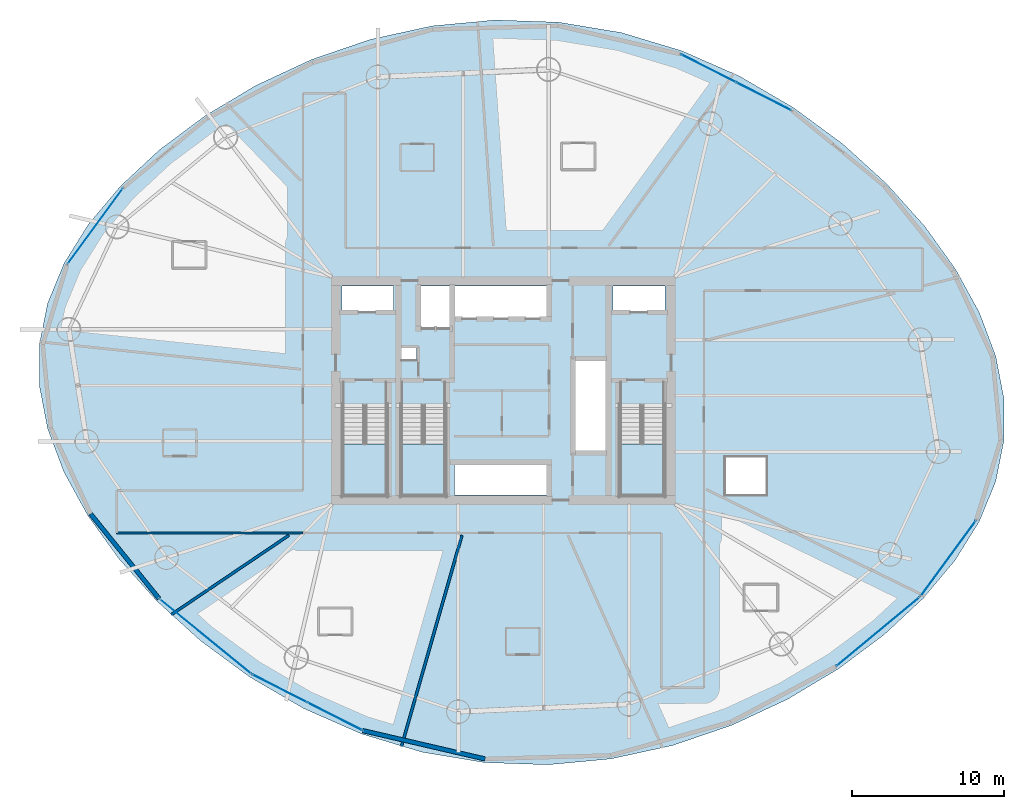
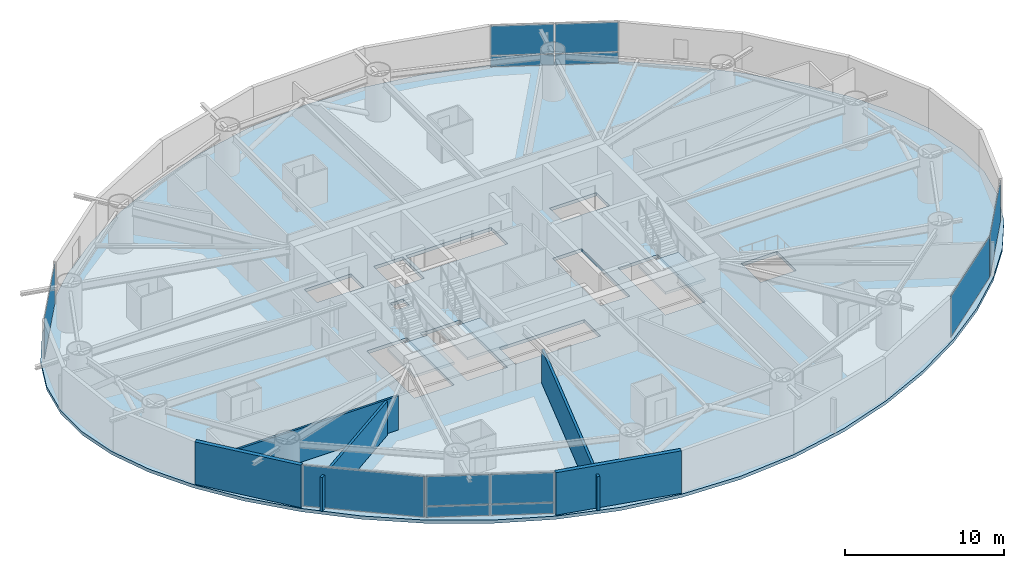
# One storey, part 13 of 20: 12 plates, 5 walls, 4 slabs, 9 elements without a shape of their own.
"""IFC4 building model written with IfcOpenShell, lengths in metres."""

from ifc_helpers import new_model, si_unit, direction, frame, frame_2d, origin, origin_2d, place, context, subcontext, project, spatial, polyline, rectangle, outline, extrude, material, layer, layer_set, type_object, element, aggregate, save


model = new_model("IFC4")

# Units and contexts
model_context = context("Model", 3, precision=1e-05, world=origin(), true_north=direction((0.0, 1.0)))
body_context = subcontext(model_context, "Body", "Model", "MODEL_VIEW")
ifc_project = project(units=[si_unit("LENGTHUNIT", "METRE"), si_unit("AREAUNIT", "SQUARE_METRE"), si_unit("VOLUMEUNIT", "CUBIC_METRE"), si_unit("PLANEANGLEUNIT", "RADIAN"), si_unit("MASSUNIT", "GRAM", prefix="KILO")], contexts=[model_context])

# Site, building, storey
site_placement = place(None, origin())
site = spatial("IfcSite", under=ifc_project, at=site_placement, CompositionType="ELEMENT")
building_placement = place(site_placement, origin())
building = spatial("IfcBuilding", under=site, at=building_placement, Name="Bramvorn Convention Spire", CompositionType="ELEMENT")
storey_placement = place(building_placement, frame((0.0, 0.0, 58.89990234375)))
storey = spatial("IfcBuildingStorey", under=building, at=storey_placement, Name="L12", CompositionType="ELEMENT", Elevation=58.89990234375)

# Curtain wall, plates
ifc_material_1 = material(Name="Anodised Bronze Unitised Curtain Wall", Category="aluminium")
ifc_layer_1 = layer(ifc_material_1, 0.179931640625)
ifc_layer_set_1 = layer_set([ifc_layer_1], Name="Anodised Bronze Unitised Curtain Wall - CW-HTL-FRIT")
curtain_wall_type = type_object("IfcCurtainWallType", Name="CW-HTL-FRIT", PredefinedType="USERDEFINED", material=ifc_layer_set_1)
curtain_wall_1_placement = place(storey_placement, origin())
curtain_wall_1 = element("IfcCurtainWall", 1, at=curtain_wall_1_placement, inside=storey, type_object=curtain_wall_type, Name="L12 fritted glass curtain wall 05", ObjectType="UNITISED CURTAIN WALL", PredefinedType="USERDEFINED")
ifc_material_2 = material(Name="Laminated Low-E Glass (Triple IGU Bronze Ceramic Frit 35%)", Category="glass")
ifc_layer_2 = layer(ifc_material_2, 0.035888671875)
ifc_layer_set_2 = layer_set([ifc_layer_2], Name="Laminated Low-E Glass (Triple IGU Bronze Ceramic Frit 35%) - PNL-IGU-1")
plate_type = type_object("IfcPlateType", Name="PNL-IGU-1", PredefinedType="CURTAIN_PANEL", material=ifc_layer_set_2)
plate_1_placement = place(storey_placement, frame((51.45751953125, 47.13818359375, 0.06005859375), z_axis=(0.0, 0.0, 1.0), x_axis=(0.891592123506, -0.452839359268, 0.0)))
plate_1 = element("IfcPlate", 2, at=plate_1_placement, type_object=plate_type, Name="CW2 panel 1.1", PredefinedType="CURTAIN_PANEL", context=body_context, shape_type="SweptSolid", body=[
    extrude(rectangle(XDim=3.995361328125, YDim=0.028076171875, at=origin_2d()), origin(), (0.0, 0.0, 1.0), 0.81005859375),
])
plate_2_placement = place(storey_placement, frame((51.45751953125, 47.13818359375, 0.93017578125), z_axis=(0.0, 0.0, 1.0), x_axis=(0.891592123506, -0.452839359268, 0.0)))
plate_2 = element("IfcPlate", 3, at=plate_2_placement, type_object=plate_type, Name="CW2 panel 1.2", PredefinedType="CURTAIN_PANEL", context=body_context, shape_type="SweptSolid", body=[
    extrude(rectangle(XDim=3.995361328125, YDim=0.028076171875, at=origin_2d()), origin(), (0.0, 0.0, 1.0), 2.260009765625),
])
plate_3_placement = place(storey_placement, frame((55.0732421875, 45.301513671875, 0.06005859375), z_axis=(0.0, 0.0, 1.0), x_axis=(0.891592123506, -0.452839359268, 0.0)))
plate_3 = element("IfcPlate", 4, at=plate_3_placement, type_object=plate_type, Name="CW2 panel 2.1", PredefinedType="CURTAIN_PANEL", context=body_context, shape_type="SweptSolid", body=[
    extrude(rectangle(XDim=3.995361328125, YDim=0.028076171875, at=origin_2d()), origin(), (0.0, 0.0, 1.0), 0.81005859375),
])
plate_4_placement = place(storey_placement, frame((55.0732421875, 45.301513671875, 0.93017578125), z_axis=(0.0, 0.0, 1.0), x_axis=(0.891592123506, -0.452839359268, 0.0)))
plate_4 = element("IfcPlate", 5, at=plate_4_placement, type_object=plate_type, Name="CW2 panel 2.2", PredefinedType="CURTAIN_PANEL", context=body_context, shape_type="SweptSolid", body=[
    extrude(rectangle(XDim=3.995361328125, YDim=0.028076171875, at=origin_2d()), origin(), (0.0, 0.0, 1.0), 2.260009765625),
])
aggregate(curtain_wall_1, [plate_1, plate_2, plate_3, plate_4])

# Curtain wall, plate
curtain_wall_2_placement = place(storey_placement, origin())
curtain_wall_2 = element("IfcCurtainWall", 6, at=curtain_wall_2_placement, inside=storey, type_object=curtain_wall_type, Name="L12 fritted glass curtain wall 11", ObjectType="UNITISED CURTAIN WALL", PredefinedType="USERDEFINED")
plate_5_placement = place(storey_placement, frame((11.211669921875, 36.78076171875, 0.06005859375), z_axis=(0.0, 0.0, 1.0), x_axis=(0.590902964569, 0.806742639547, 0.0)))
plate_5 = element("IfcPlate", 7, at=plate_5_placement, type_object=plate_type, Name="CW2 panel 1.1", PredefinedType="CURTAIN_PANEL", context=body_context, shape_type="SweptSolid", body=[
    extrude(rectangle(XDim=6.092041015625, YDim=0.028076171875, at=origin_2d()), origin(), (0.0, 0.0, 1.0), 3.1298828125),
])
aggregate(curtain_wall_2, [plate_5])

curtain_wall_3_placement = place(storey_placement, origin())
curtain_wall_3 = element("IfcCurtainWall", 8, at=curtain_wall_3_placement, inside=storey, type_object=curtain_wall_type, Name="L12 fritted glass curtain wall 16", ObjectType="UNITISED CURTAIN WALL", PredefinedType="USERDEFINED")
plate_6_placement = place(storey_placement, frame((18.441162109375, 9.871826171875, 0.06005859375), z_axis=(0.0, 0.0, 1.0), x_axis=(-0.774751800926, 0.63226548772, 0.0)))
plate_6 = element("IfcPlate", 9, at=plate_6_placement, type_object=plate_type, Name="CW2 panel 1.1", PredefinedType="CURTAIN_PANEL", context=body_context, shape_type="SweptSolid", body=[
    extrude(rectangle(XDim=7.724853515625, YDim=0.028076171875, at=origin_2d()), origin(), (0.0, 0.0, 1.0), 3.1298828125),
])
aggregate(curtain_wall_3, [plate_6])

# Curtain wall, plates
curtain_wall_4_placement = place(storey_placement, origin())
curtain_wall_4 = element("IfcCurtainWall", 10, at=curtain_wall_4_placement, inside=storey, type_object=curtain_wall_type, Name="L12 fritted glass curtain wall 17", ObjectType="UNITISED CURTAIN WALL", PredefinedType="USERDEFINED")
plate_7_placement = place(storey_placement, frame((26.9306640625, 4.62353515625, 0.06005859375), z_axis=(0.0, 0.0, 1.0), x_axis=(-0.891594555151, 0.452834571588, 0.0)))
plate_7 = element("IfcPlate", 11, at=plate_7_placement, type_object=plate_type, Name="CW2 panel 1.1", PredefinedType="CURTAIN_PANEL", context=body_context, shape_type="SweptSolid", body=[
    extrude(rectangle(XDim=3.995361328125, YDim=0.028076171875, at=origin_2d()), origin(), (0.0, 0.0, 1.0), 0.81005859375),
])
plate_8_placement = place(storey_placement, frame((26.9306640625, 4.62353515625, 0.93017578125), z_axis=(0.0, 0.0, 1.0), x_axis=(-0.891594555151, 0.452834571588, 0.0)))
plate_8 = element("IfcPlate", 12, at=plate_8_placement, type_object=plate_type, Name="CW2 panel 1.2", PredefinedType="CURTAIN_PANEL", context=body_context, shape_type="SweptSolid", body=[
    extrude(rectangle(XDim=3.995361328125, YDim=0.028076171875, at=origin_2d()), origin(), (0.0, 0.0, 1.0), 2.260009765625),
])
plate_9_placement = place(storey_placement, frame((23.31494140625, 6.4599609375, 0.06005859375), z_axis=(0.0, 0.0, 1.0), x_axis=(-0.891594555151, 0.452834571588, 0.0)))
plate_9 = element("IfcPlate", 13, at=plate_9_placement, type_object=plate_type, Name="CW2 panel 2.1", PredefinedType="CURTAIN_PANEL", context=body_context, shape_type="SweptSolid", body=[
    extrude(rectangle(XDim=3.995361328125, YDim=0.028076171875, at=origin_2d()), origin(), (0.0, 0.0, 1.0), 0.81005859375),
])
plate_10_placement = place(storey_placement, frame((23.31494140625, 6.4599609375, 0.93017578125), z_axis=(0.0, 0.0, 1.0), x_axis=(-0.891594555151, 0.452834571588, 0.0)))
plate_10 = element("IfcPlate", 14, at=plate_10_placement, type_object=plate_type, Name="CW2 panel 2.2", PredefinedType="CURTAIN_PANEL", context=body_context, shape_type="SweptSolid", body=[
    extrude(rectangle(XDim=3.995361328125, YDim=0.028076171875, at=origin_2d()), origin(), (0.0, 0.0, 1.0), 2.260009765625),
])
aggregate(curtain_wall_4, [plate_7, plate_8, plate_9, plate_10])

# Curtain wall, plate
curtain_wall_5_placement = place(storey_placement, origin())
curtain_wall_5 = element("IfcCurtainWall", 15, at=curtain_wall_5_placement, inside=storey, type_object=curtain_wall_type, Name="L12 fritted glass curtain wall 22", ObjectType="UNITISED CURTAIN WALL", PredefinedType="USERDEFINED")
plate_11_placement = place(storey_placement, frame((62.591552734375, 10.19580078125, 0.06005859375), z_axis=(0.0, 0.0, 1.0), x_axis=(-0.769819701022, -0.638261410331, 0.0)))
plate_11 = element("IfcPlate", 16, at=plate_11_placement, type_object=plate_type, Name="CW2 panel 1.1", PredefinedType="CURTAIN_PANEL", context=body_context, shape_type="SweptSolid", body=[
    extrude(rectangle(XDim=7.02294921875, YDim=0.028076171875, at=origin_2d()), origin(), (0.0, 0.0, 1.0), 3.1298828125),
])
aggregate(curtain_wall_5, [plate_11])

curtain_wall_6_placement = place(storey_placement, origin())
curtain_wall_6 = element("IfcCurtainWall", 17, at=curtain_wall_6_placement, inside=storey, type_object=curtain_wall_type, Name="L12 fritted glass curtain wall 23", ObjectType="UNITISED CURTAIN WALL", PredefinedType="USERDEFINED")
plate_12_placement = place(storey_placement, frame((67.17626953125, 14.98095703125, 0.06005859375), z_axis=(0.0, 0.0, 1.0), x_axis=(-0.5908952907, -0.806748260257, 0.0)))
plate_12 = element("IfcPlate", 18, at=plate_12_placement, type_object=plate_type, Name="CW2 panel 1.1", PredefinedType="CURTAIN_PANEL", context=body_context, shape_type="SweptSolid", body=[
    extrude(rectangle(XDim=6.092041015625, YDim=0.028076171875, at=origin_2d()), origin(), (0.0, 0.0, 1.0), 3.1298828125),
])
aggregate(curtain_wall_6, [plate_12])

# Stair, slab
ifc_material_3 = material(Name="Concrete C40/50 Precast Stair", Category="concrete")
stair_type = type_object("IfcStairType", Name="ST-TOWER-1550", PredefinedType="HALF_TURN_STAIR", material=ifc_material_3)
stair_1_placement = place(storey_placement, origin())
stair_1 = element("IfcStair", 19, at=stair_1_placement, inside=storey, type_object=stair_type, Name="L12 Protected Exit Stair ST1", PredefinedType="HALF_TURN_STAIR")
ifc_material_4 = material(Name="Concrete C40/50 Stair Landing", Category="concrete")
ifc_layer_3 = layer(ifc_material_4, 0.219970703125)
ifc_layer_set_3 = layer_set([ifc_layer_3], Name="Concrete C40/50 Stair Landing - SLB-STAIR-LANDING")
slab_type_1 = type_object("IfcSlabType", Name="SLB-STAIR-LANDING", PredefinedType="LANDING", material=ifc_layer_set_3)
slab_1_placement = place(storey_placement, frame((0.0, 0.0, 1.550048828125)))
slab_1 = element("IfcSlab", 20, at=slab_1_placement, type_object=slab_type_1, Name="ST1 landing 1", PredefinedType="LANDING", context=body_context, shape_type="SweptSolid", body=[
    extrude(outline(polyline([(27.449951171875, 22.485107421875), (27.449951171875, 19.10009765625), (30.35009765625, 19.10009765625), (30.35009765625, 22.485107421875), (27.449951171875, 22.485107421875)])), origin(), (0.0, 0.0, 1.0), 0.199951171875),
])
aggregate(stair_1, [slab_1])

stair_2_placement = place(storey_placement, origin())
stair_2 = element("IfcStair", 21, at=stair_2_placement, inside=storey, type_object=stair_type, Name="L12 Protected Exit Stair ST2", PredefinedType="HALF_TURN_STAIR")
slab_2_placement = place(storey_placement, frame((0.0, 0.0, 1.550048828125)))
slab_2 = element("IfcSlab", 22, at=slab_2_placement, type_object=slab_type_1, Name="ST2 landing 1", PredefinedType="LANDING", context=body_context, shape_type="SweptSolid", body=[
    extrude(outline(polyline([(45.64990234375, 22.485107421875), (45.64990234375, 19.10009765625), (48.550048828125, 19.10009765625), (48.550048828125, 22.485107421875), (45.64990234375, 22.485107421875)])), origin(), (0.0, 0.0, 1.0), 0.199951171875),
])
aggregate(stair_2, [slab_2])

stair_3_placement = place(storey_placement, origin())
stair_3 = element("IfcStair", 23, at=stair_3_placement, inside=storey, type_object=stair_type, Name="L12 Protected Exit Stair ST3", PredefinedType="HALF_TURN_STAIR")
slab_3_placement = place(storey_placement, frame((0.0, 0.0, 1.550048828125)))
slab_3 = element("IfcSlab", 24, at=slab_3_placement, type_object=slab_type_1, Name="ST3 landing 1", PredefinedType="LANDING", context=body_context, shape_type="SweptSolid", body=[
    extrude(outline(polyline([(31.300048828125, 22.485107421875), (31.300048828125, 19.10009765625), (34.199951171875, 19.10009765625), (34.199951171875, 22.485107421875), (31.300048828125, 22.485107421875)])), origin(), (0.0, 0.0, 1.0), 0.199951171875),
])
aggregate(stair_3, [slab_3])

# Slab
ifc_material_5 = material(Name="Concrete C50/60", Category="concrete")
ifc_layer_4 = layer(ifc_material_5, 0.25)
ifc_layer_set_4 = layer_set([ifc_layer_4], Name="Concrete C50/60 - SLB-Z1-250")
slab_type_2 = type_object("IfcSlabType", Name="SLB-Z1-250", PredefinedType="FLOOR", material=ifc_layer_set_4)
slab_4_placement = place(storey_placement, frame((0.0, 0.0, -0.25)))
element("IfcSlab", 25, at=slab_4_placement, inside=storey, type_object=slab_type_2, Name="L12 tower floor slab", PredefinedType="FLOOR", context=body_context, shape_type="SweptSolid", body=[
    extrude(outline(polyline([(70.8369140625, 22.722412109375), (70.83642578125, 25.4580078125), (70.29931640625, 28.247314453125), (69.238525390625, 31.081787109375), (67.6748046875, 33.93994140625), (65.635986328125, 36.781494140625), (63.156005859375, 39.549072265625), (60.274658203125, 42.168701171875), (57.037109375, 44.555908203125), (53.494384765625, 46.623779296875), (49.7021484375, 48.290283203125), (45.7216796875, 49.4873046875), (41.618408203125, 50.168212890625), (37.461181640625, 50.311767578125), (33.32275390625, 49.92529296875), (29.27587890625, 49.041259765625), (25.394287109375, 47.71435546875), (21.748779296875, 46.01416015625), (18.406494140625, 44.015625), (15.42822265625, 41.79296875), (12.867919921875, 39.410400390625), (10.7705078125, 36.917724609375), (9.170166015625, 34.3486328125), (8.09228515625, 31.720703125), (7.55126953125, 29.039306640625), (7.5517578125, 26.3037109375), (8.0888671875, 23.514404296875), (9.149658203125, 20.6796875), (10.713134765625, 17.82177734375), (12.751953125, 14.97998046875), (15.232177734375, 12.21240234375), (18.113525390625, 9.593017578125), (21.35107421875, 7.20556640625), (24.893798828125, 5.1376953125), (28.68603515625, 3.47119140625), (32.66650390625, 2.2744140625), (36.77001953125, 1.593505859375), (40.927001953125, 1.44970703125), (45.0654296875, 1.83642578125), (49.1123046875, 2.720458984375), (52.993896484375, 4.047119140625), (56.639404296875, 5.74755859375), (59.981689453125, 7.745849609375), (62.959716796875, 9.968505859375), (65.52001953125, 12.351318359375), (67.617919921875, 14.84375), (69.218017578125, 17.412841796875), (70.2958984375, 20.041015625), (70.8369140625, 22.722412109375)]), holes=[polyline([(27.449951171875, 25.050048828125), (27.449951171875, 19.10009765625), (30.35009765625, 19.10009765625), (30.35009765625, 25.050048828125), (27.449951171875, 25.050048828125)]), polyline([(45.64990234375, 25.050048828125), (45.64990234375, 19.10009765625), (48.550048828125, 19.10009765625), (48.550048828125, 25.050048828125), (45.64990234375, 25.050048828125)]), polyline([(31.300048828125, 25.050048828125), (31.300048828125, 19.10009765625), (34.199951171875, 19.10009765625), (34.199951171875, 25.050048828125), (31.300048828125, 25.050048828125)]), polyline([(27.39990234375, 31.219970703125), (30.800048828125, 31.219970703125), (30.800048828125, 32.85009765625), (27.39990234375, 32.85009765625), (27.39990234375, 31.219970703125)]), polyline([(45.199951171875, 31.219970703125), (48.60009765625, 31.219970703125), (48.60009765625, 32.85009765625), (45.199951171875, 32.85009765625), (45.199951171875, 31.219970703125)]), polyline([(32.449951171875, 30.14990234375), (34.56005859375, 30.14990234375), (34.56005859375, 32.85009765625), (32.449951171875, 32.85009765625), (32.449951171875, 30.14990234375)]), polyline([(34.800048828125, 30.800048828125), (40.97998046875, 30.800048828125), (40.97998046875, 32.85009765625), (34.800048828125, 32.85009765625), (34.800048828125, 30.800048828125)]), polyline([(34.800048828125, 19.14990234375), (40.97998046875, 19.14990234375), (40.97998046875, 21.199951171875), (34.800048828125, 21.199951171875), (34.800048828125, 19.14990234375)]), polyline([(42.6201171875, 22.0), (44.75, 22.0), (44.75, 28.0), (42.6201171875, 28.0), (42.6201171875, 22.0)]), polyline([(31.320068359375, 28.02001953125), (32.280029296875, 28.02001953125), (32.280029296875, 28.820068359375), (31.320068359375, 28.820068359375), (31.320068359375, 28.02001953125)]), polyline([(52.60009765625, 19.199951171875), (55.199951171875, 19.199951171875), (55.199951171875, 21.60009765625), (52.60009765625, 21.60009765625), (52.60009765625, 19.199951171875)])]), origin(), (0.0, 0.0, 1.0), 0.25),
])

# Walls
ifc_material_6 = material(Name="Precast Concrete C40/50 with Bronze Terracotta Rainscreen", Category="masonry")
ifc_layer_5 = layer(ifc_material_6, 0.300048828125)
ifc_layer_set_5 = layer_set([ifc_layer_5], Name="Precast Concrete C40/50 with Bronze Terracotta Rainscreen - WL-EXT-BRONZE-300")
wall_type_1 = type_object("IfcWallType", Name="WL-EXT-BRONZE-300", PredefinedType="SOLIDWALL", material=ifc_layer_set_5)
wall_1_placement = place(storey_placement, frame((15.40234375, 12.351806640625, 0.0), z_axis=(0.0, 0.0, 1.0), x_axis=(-0.628468371522, 0.777835140628, 0.0)))
element("IfcWall", 26, at=wall_1_placement, inside=storey, type_object=wall_type_1, Name="L12 expressed bronze Gothic lancet pier wall 15", PredefinedType="SOLIDWALL", context=body_context, shape_type="SweptSolid", body=[
    extrude(rectangle(XDim=7.142822265625, YDim=0.280029296875, at=frame_2d((3.5712890625, 0.0))), origin(), (0.0, 0.0, 1.0), 3.25),
])
wall_2_placement = place(storey_placement, frame((36.79345703125, 1.829833984375, 0.0), z_axis=(0.0, 0.0, 1.0), x_axis=(-0.974141460066, 0.225938964722, 0.0)))
element("IfcWall", 27, at=wall_2_placement, inside=storey, type_object=wall_type_1, Name="L12 expressed bronze Gothic lancet pier wall 18", PredefinedType="SOLIDWALL", context=body_context, shape_type="SweptSolid", body=[
    extrude(rectangle(XDim=8.241455078125, YDim=0.280029296875, at=frame_2d((4.12060546875, 0.0))), origin(), (0.0, 0.0, 1.0), 3.25),
])
ifc_material_7 = material(Name="Acoustic Metal-Stud Tenant/Corridor Partition", Category="gypsum")
ifc_layer_6 = layer(ifc_material_7, 0.14990234375)
ifc_layer_set_6 = layer_set([ifc_layer_6], Name="Acoustic Metal-Stud Tenant/Corridor Partition - WL-PART-150")
wall_type_2 = type_object("IfcWallType", Name="WL-PART-150", PredefinedType="PARTITIONING", material=ifc_layer_set_6)
wall_3_placement = place(storey_placement, frame((12.621337890625, 16.64990234375, 0.0), z_axis=(0.0, 0.0, 1.0), x_axis=(1.0, 0.0, 0.0)))
element("IfcWall", 28, at=wall_3_placement, inside=storey, type_object=wall_type_2, Name="L12 SW pinwheel wing south wall", PredefinedType="PARTITIONING", context=body_context, shape_type="SweptSolid", body=[
    extrude(rectangle(XDim=12.228759765625, YDim=0.14990234375, at=frame_2d((6.1142578125, 0.0))), origin(), (0.0, 0.0, 1.0), 2.60009765625),
])
ifc_material_8 = material(Name="Double-Stud Acoustic Hotel/Suite Partition", Category="gypsum")
ifc_layer_7 = layer(ifc_material_8, 0.175048828125)
ifc_layer_set_7 = layer_set([ifc_layer_7], Name="Double-Stud Acoustic Hotel/Suite Partition - WL-PART-175")
wall_type_3 = type_object("IfcWallType", Name="WL-PART-175", PredefinedType="PARTITIONING", material=ifc_layer_set_7)
wall_4_placement = place(storey_placement, frame((23.930419921875, 16.510009765625, 0.0), z_axis=(0.0, 0.0, 1.0), x_axis=(-0.829034032369, -0.559198151976, 0.0)))
element("IfcWall", 29, at=wall_4_placement, inside=storey, type_object=wall_type_3, Name="L12 Guestroom demising wall 6", PredefinedType="PARTITIONING", context=body_context, shape_type="SweptSolid", body=[
    extrude(rectangle(XDim=9.327392578125, YDim=0.175048828125, at=frame_2d((4.66357421875, 0.0))), origin(), (0.0, 0.0, 1.0), 2.60009765625),
])
wall_5_placement = place(storey_placement, frame((35.27880859375, 16.510009765625, 0.0), z_axis=(0.0, 0.0, 1.0), x_axis=(-0.275633462928, -0.961262812198, 0.0)))
element("IfcWall", 30, at=wall_5_placement, inside=storey, type_object=wall_type_3, Name="L12 Guestroom demising wall 7", PredefinedType="PARTITIONING", context=body_context, shape_type="SweptSolid", body=[
    extrude(rectangle(XDim=14.418212890625, YDim=0.175048828125, at=frame_2d((7.208984375, 0.0))), origin(), (0.0, 0.0, 1.0), 2.60009765625),
])

save(model, "model.ifc")
